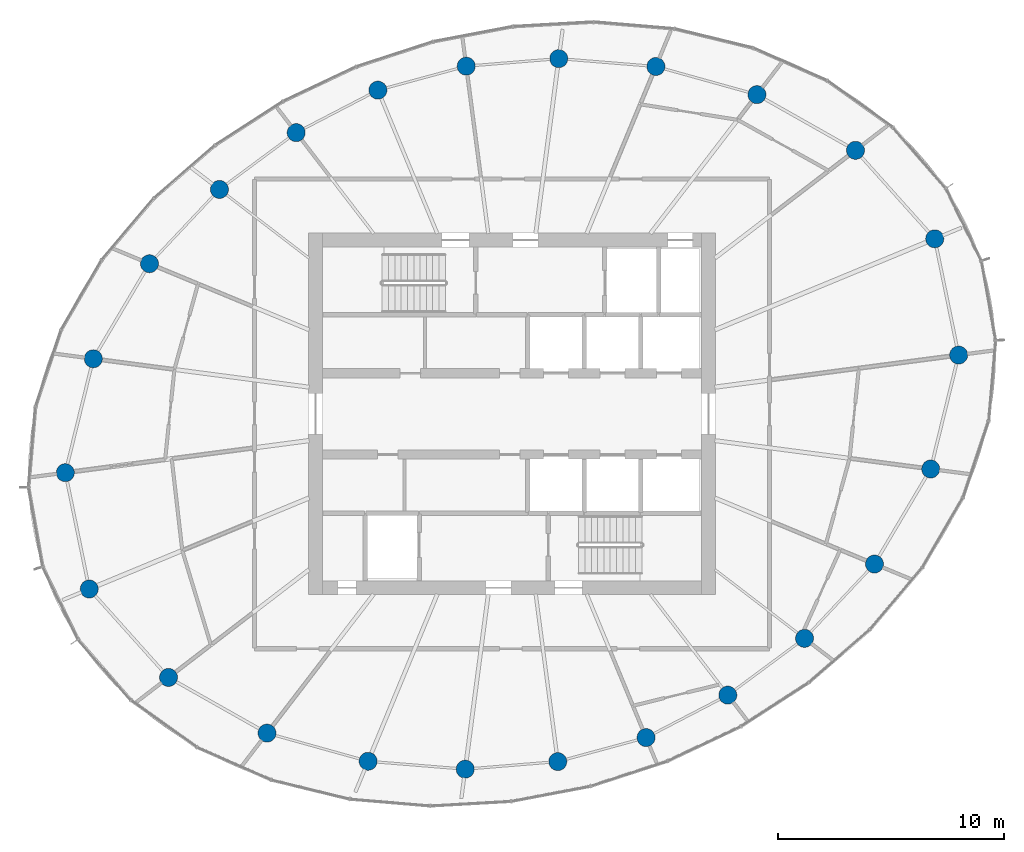
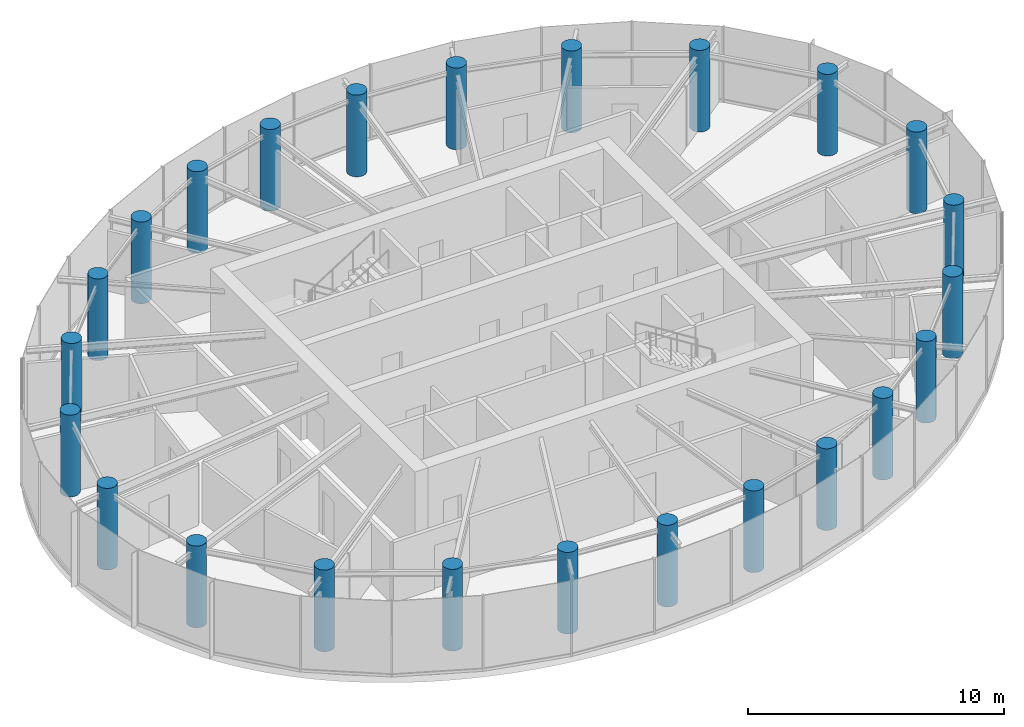
# One storey, part 1 of 13: 24 columns.
"""IFC4 building model written with IfcOpenShell, lengths in metres."""

from ifc_helpers import new_model, si_unit, direction, frame, origin, origin_2d, place, context, subcontext, project, spatial, circle, extrude, source, transform, mapped, material, material_profile, profile_set, type_object, element, save


model = new_model("IFC4")

# Units and contexts
model_context = context("Model", 3, precision=1e-05, world=origin(), true_north=direction((0.0, 1.0)))
body_context = subcontext(model_context, "Body", "Model", "MODEL_VIEW")
ifc_project = project(units=[si_unit("LENGTHUNIT", "METRE"), si_unit("AREAUNIT", "SQUARE_METRE"), si_unit("VOLUMEUNIT", "CUBIC_METRE"), si_unit("PLANEANGLEUNIT", "RADIAN"), si_unit("MASSUNIT", "GRAM", prefix="KILO")], contexts=[model_context])

# Site, building, storey
site_placement = place(None, origin())
site = spatial("IfcSite", under=ifc_project, at=site_placement, CompositionType="ELEMENT")
building_placement = place(site_placement, origin())
building = spatial("IfcBuilding", under=site, at=building_placement, Name="Spindrift Exchange Tower", CompositionType="ELEMENT")
storey_placement = place(building_placement, frame((0.0, 0.0, 250.10009765625)))
storey = spatial("IfcBuildingStorey", under=building, at=storey_placement, Name="L61", CompositionType="ELEMENT", Elevation=250.10009765625)

# Columns
ifc_material = material(Name="Concrete 40 MPa", Category="concrete")
ifc_material_profile = material_profile(ifc_material, circle(Radius=0.39990234375, at=origin_2d()), Name="RC D800")
ifc_profile_set = profile_set([ifc_material_profile], Name="Concrete 40 MPa")
column_type = type_object("IfcColumnType", Name="RC Perimeter Column D800 Concrete 40 MPa", PredefinedType="COLUMN", material=ifc_profile_set)
shared_shape = source(origin(), body_context, "Body", "SweptSolid", [
    extrude(circle(Radius=0.39990234375, at=origin_2d()), origin(), (0.0, 0.0, 1.0), 3.89990234375),
])
for number, where, z_axis, x_axis, name in (
    (1, (71.77734375, 50.603759765625, 0.0), (0.0, 0.0, 1.0), (1.0, 0.0, 0.0), "Perimeter column P5-01 L61"),
    (2, (70.719482421875, 55.75390625, 0.0), (0.0, 0.0, 1.0), (1.0, 0.0, 0.0), "Perimeter column P5-02 L61"),
    (3, (67.20947265625, 59.670654296875, 0.0), (0.0, 0.0, 1.0), (1.0, 0.0, 0.0), "Perimeter column P5-03 L61"),
    (4, (62.846923828125, 62.135986328125, 0.0), (0.0, 0.0, 1.0), (1.0, 0.0, 0.0), "Perimeter column P5-04 L61"),
    (5, (58.37158203125, 63.382568359375, 0.0), (0.0, 0.0, 1.0), (1.0, 0.0, 0.0), "Perimeter column P5-05 L61"),
    (6, (54.071044921875, 63.731201171875, 0.0), (0.0, 0.0, 1.0), (1.0, 0.0, 0.0), "Perimeter column P5-06 L61"),
    (7, (49.97314453125, 63.39599609375, 0.0), (0.0, 0.0, 1.0), (1.0, 0.0, 0.0), "Perimeter column P5-07 L61"),
    (8, (46.062744140625, 62.333984375, 0.0), (0.0, 0.0, 1.0), (1.0, 0.0, 0.0), "Perimeter column P5-08 L61"),
    (9, (42.4443359375, 60.453369140625, 0.0), (0.0, 0.0, 1.0), (1.0, 0.0, 0.0), "Perimeter column P5-09 L61"),
    (10, (39.046875, 57.939208984375, 0.0), (0.0, 0.0, 1.0), (1.0, 0.0, 0.0), "Perimeter column P5-10 L61"),
    (11, (35.948486328125, 54.648681640625, 0.0), (0.0, 0.0, 1.0), (1.0, 0.0, 0.0), "Perimeter column P5-11 L61"),
    (12, (33.4599609375, 50.44091796875, 0.0), (0.0, 0.0, 1.0), (1.0, 0.0, 0.0), "Perimeter column P5-12 L61"),
    (13, (32.22265625, 45.396240234375, 0.0), (0.0, 0.0, 1.0), (1.0, 0.0, 0.0), "Perimeter column P5-13 L61"),
    (14, (33.280517578125, 40.24609375, 0.0), (0.0, 0.0, 1.0), (1.0, 0.0, 0.0), "Perimeter column P5-14 L61"),
    (15, (36.79052734375, 36.329345703125, 0.0), (0.0, 0.0, 1.0), (1.0, 0.0, 0.0), "Perimeter column P5-15 L61"),
    (16, (41.153076171875, 33.864013671875, 0.0), (0.0, 0.0, 1.0), (1.0, 0.0, 0.0), "Perimeter column P5-16 L61"),
    (17, (45.62841796875, 32.617431640625, 0.0), (0.0, 0.0, 1.0), (1.0, 0.0, 0.0), "Perimeter column P5-17 L61"),
    (18, (49.928955078125, 32.268798828125, 0.0), (0.0, 0.0, 1.0), (1.0, 0.0, 0.0), "Perimeter column P5-18 L61"),
    (19, (54.02685546875, 32.60400390625, 0.0), (0.0, 0.0, 1.0), (1.0, 0.0, 0.0), "Perimeter column P5-19 L61"),
    (20, (57.937255859375, 33.666015625, 0.0), (0.0, 0.0, 1.0), (1.0, 0.0, 0.0), "Perimeter column P5-20 L61"),
    (21, (61.5556640625, 35.546630859375, 0.0), (0.0, 0.0, 1.0), (1.0, 0.0, 0.0), "Perimeter column P5-21 L61"),
    (22, (64.953125, 38.060791015625, 0.0), (0.0, 0.0, 1.0), (1.0, 0.0, 0.0), "Perimeter column P5-22 L61"),
    (23, (68.051513671875, 41.351318359375, 0.0), (0.0, 0.0, 1.0), (1.0, 0.0, 0.0), "Perimeter column P5-23 L61"),
    (24, (70.5400390625, 45.55908203125, 0.0), (0.0, 0.0, 1.0), (1.0, 0.0, 0.0), "Perimeter column P5-24 L61"),
):
    element("IfcColumn", number, at=place(storey_placement, frame(where, z_axis=z_axis, x_axis=x_axis)), inside=storey, type_object=column_type, Name=name, PredefinedType="COLUMN", context=body_context, shape_type="MappedRepresentation", body=[
        mapped(shared_shape, transform((0.0, 0.0, 0.0), scale=1.0)),
    ])

save(model, "model.ifc")
